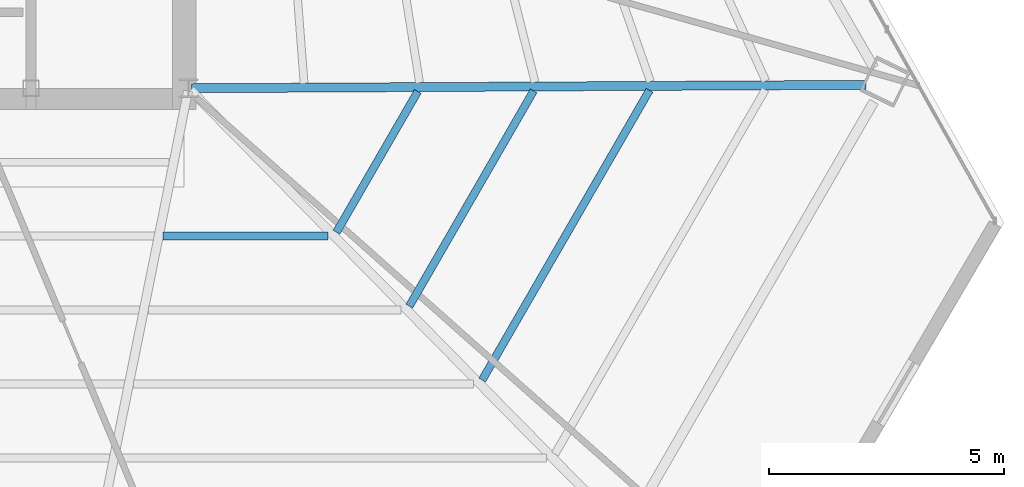
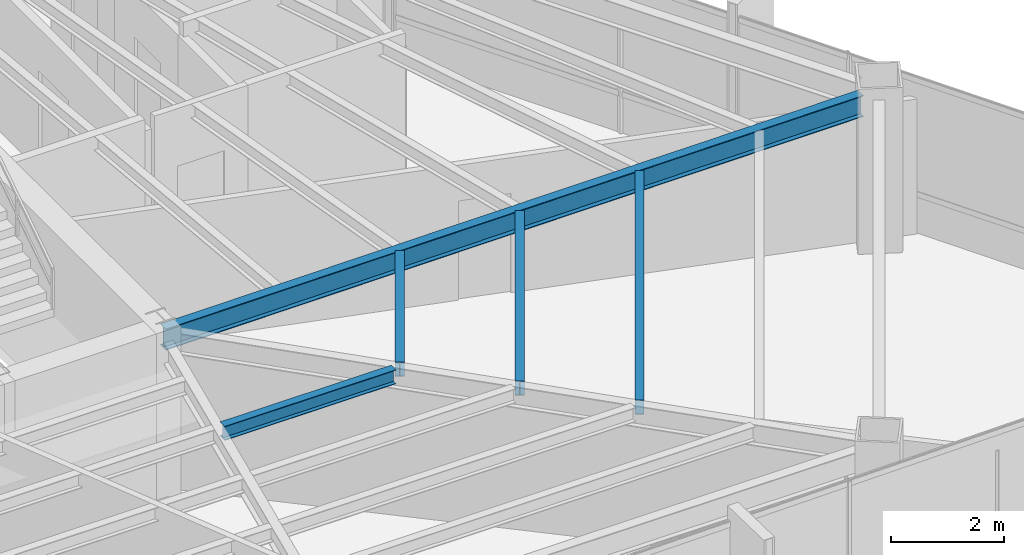
# One storey, part 21 of 42: 5 beams.
"""IFC4 building model written with IfcOpenShell, lengths in metres."""

from ifc_helpers import new_model, si_unit, direction, frame, origin, origin_2d, place, context, subcontext, project, spatial, i_section, extrude, source, transform, mapped, material, material_profile, profile_set, type_object, type_shapes, element, save


model = new_model("IFC4")

# Units and contexts
model_context = context("Model", 3, precision=1e-05, world=origin(), true_north=direction((0.0, 1.0)))
body_context = subcontext(model_context, "Body", "Model", "MODEL_VIEW")
ifc_project = project(units=[si_unit("LENGTHUNIT", "METRE"), si_unit("AREAUNIT", "SQUARE_METRE"), si_unit("VOLUMEUNIT", "CUBIC_METRE"), si_unit("PLANEANGLEUNIT", "RADIAN"), si_unit("MASSUNIT", "GRAM", prefix="KILO")], contexts=[model_context])

# Site, building, storey
site_placement = place(None, origin())
site = spatial("IfcSite", under=ifc_project, at=site_placement, CompositionType="ELEMENT")
building_placement = place(site_placement, origin())
building = spatial("IfcBuilding", under=site, at=building_placement, Name="Caelisora Broadcast Tower", CompositionType="ELEMENT")
storey_placement = place(building_placement, frame((0.0, 0.0, 184.050048828125)))
storey = spatial("IfcBuildingStorey", under=building, at=storey_placement, Name="L48", CompositionType="ELEMENT", Elevation=184.050048828125)

# Beams
ifc_material = material(Name="Steel Grade 350 (AS/NZS 3679.1)", Category="steel")
ifc_material_profile_1 = material_profile(ifc_material, i_section(OverallWidth=0.19091796875, OverallDepth=0.46044921875, WebThickness=0.010009765625, FlangeThickness=0.01611328125, at=origin_2d()), Name="Steel Grade 350 (AS/NZS 3679.1)")
ifc_profile_set_1 = profile_set([ifc_material_profile_1], Name="Steel Grade 350 (AS/NZS 3679.1)")
beam_type_1 = type_object("IfcBeamType", Name="PG06", PredefinedType="BEAM", material=ifc_profile_set_1)
shared_shape_1 = source(origin(), body_context, "Body", "SweptSolid", [
    extrude(i_section(OverallWidth=0.19091796875, OverallDepth=0.46044921875, WebThickness=0.010009765625, FlangeThickness=0.01611328125, at=origin_2d()), origin(), (0.0, 0.0, 1.0), 14.33984375),
])
type_shapes(beam_type_1, [shared_shape_1])
beam_1_placement = place(storey_placement, frame((45.56005859375, 17.400390625, 3.169677734375), z_axis=(0.999987129358, 0.005073570521, 0.0), x_axis=(-0.005073570521, 0.999987129358, 0.0)))
element("IfcBeam", 1, at=beam_1_placement, inside=storey, type_object=beam_type_1, Name="L48 beam PG06", PredefinedType="BEAM", context=body_context, shape_type="MappedRepresentation", body=[
    mapped(shared_shape_1, transform((0.0, 0.0, 0.0), scale=1.0)),
])
ifc_material_profile_2 = material_profile(ifc_material, i_section(OverallWidth=0.166015625, OverallDepth=0.30712890625, WebThickness=0.006591796875, FlangeThickness=0.01171875, at=origin_2d()), Name="Steel Grade 350 (AS/NZS 3679.1)")
ifc_profile_set_2 = profile_set([ifc_material_profile_2], Name="Steel Grade 350 (AS/NZS 3679.1)")
beam_type_2 = type_object("IfcBeamType", Name="SB03", PredefinedType="JOIST", material=ifc_profile_set_2)
shared_shape_2 = source(origin(), body_context, "Body", "SweptSolid", [
    extrude(i_section(OverallWidth=0.166015625, OverallDepth=0.30712890625, WebThickness=0.006591796875, FlangeThickness=0.01171875, at=origin_2d()), origin(), (0.0, 0.0, 1.0), 3.4541015625),
])
beam_2_placement = place(storey_placement, frame((48.644287109375, 14.34033203125, 3.246337890625), z_axis=(0.499985536376, 0.866033754201, 0.0), x_axis=(-0.866033754201, 0.499985536376, 0.0)))
element("IfcBeam", 2, at=beam_2_placement, inside=storey, type_object=beam_type_2, Name="L48 beam SB03", PredefinedType="JOIST", context=body_context, shape_type="MappedRepresentation", body=[
    mapped(shared_shape_2, transform((0.0, 0.0, 0.0), scale=1.0)),
])
shared_shape_3 = source(origin(), body_context, "Body", "SweptSolid", [
    extrude(i_section(OverallWidth=0.166015625, OverallDepth=0.30712890625, WebThickness=0.006591796875, FlangeThickness=0.01171875, at=origin_2d()), origin(), (0.0, 0.0, 1.0), 5.283447265625),
])
beam_3_placement = place(storey_placement, frame((50.1923828125, 12.768798828125, 3.246337890625), z_axis=(0.49997578384, 0.86603938454, 0.0), x_axis=(-0.86603938454, 0.49997578384, 0.0)))
element("IfcBeam", 3, at=beam_3_placement, inside=storey, type_object=beam_type_2, Name="L48 beam SB03", PredefinedType="JOIST", context=body_context, shape_type="MappedRepresentation", body=[
    mapped(shared_shape_3, transform((0.0, 0.0, 0.0), scale=1.0)),
])
shared_shape_4 = source(origin(), body_context, "Body", "SweptSolid", [
    extrude(i_section(OverallWidth=0.166015625, OverallDepth=0.30712890625, WebThickness=0.006591796875, FlangeThickness=0.01171875, at=origin_2d()), origin(), (0.0, 0.0, 1.0), 7.1123046875),
])
beam_4_placement = place(storey_placement, frame((51.740478515625, 11.197509765625, 3.246337890625), z_axis=(0.500000773857, 0.866024956998, 0.0), x_axis=(-0.866024956998, 0.500000773857, 0.0)))
element("IfcBeam", 4, at=beam_4_placement, inside=storey, type_object=beam_type_2, Name="L48 beam SB03", PredefinedType="JOIST", context=body_context, shape_type="MappedRepresentation", body=[
    mapped(shared_shape_4, transform((0.0, 0.0, 0.0), scale=1.0)),
])
shared_shape_5 = source(origin(), body_context, "Body", "SweptSolid", [
    extrude(i_section(OverallWidth=0.166015625, OverallDepth=0.30712890625, WebThickness=0.006591796875, FlangeThickness=0.01171875, at=origin_2d()), origin(), (0.0, 0.0, 1.0), 3.50537109375),
])
type_shapes(beam_type_2, [shared_shape_2, shared_shape_3, shared_shape_4, shared_shape_5])
beam_5_placement = place(storey_placement, frame((44.959716796875, 14.257080078125, 3.246337890625), z_axis=(1.0, 0.0, 0.0), x_axis=(0.0, 1.0, 0.0)))
element("IfcBeam", 5, at=beam_5_placement, inside=storey, type_object=beam_type_2, Name="L48 beam SB03", PredefinedType="JOIST", context=body_context, shape_type="MappedRepresentation", body=[
    mapped(shared_shape_5, transform((0.0, 0.0, 0.0), scale=1.0)),
])

save(model, "model.ifc")
